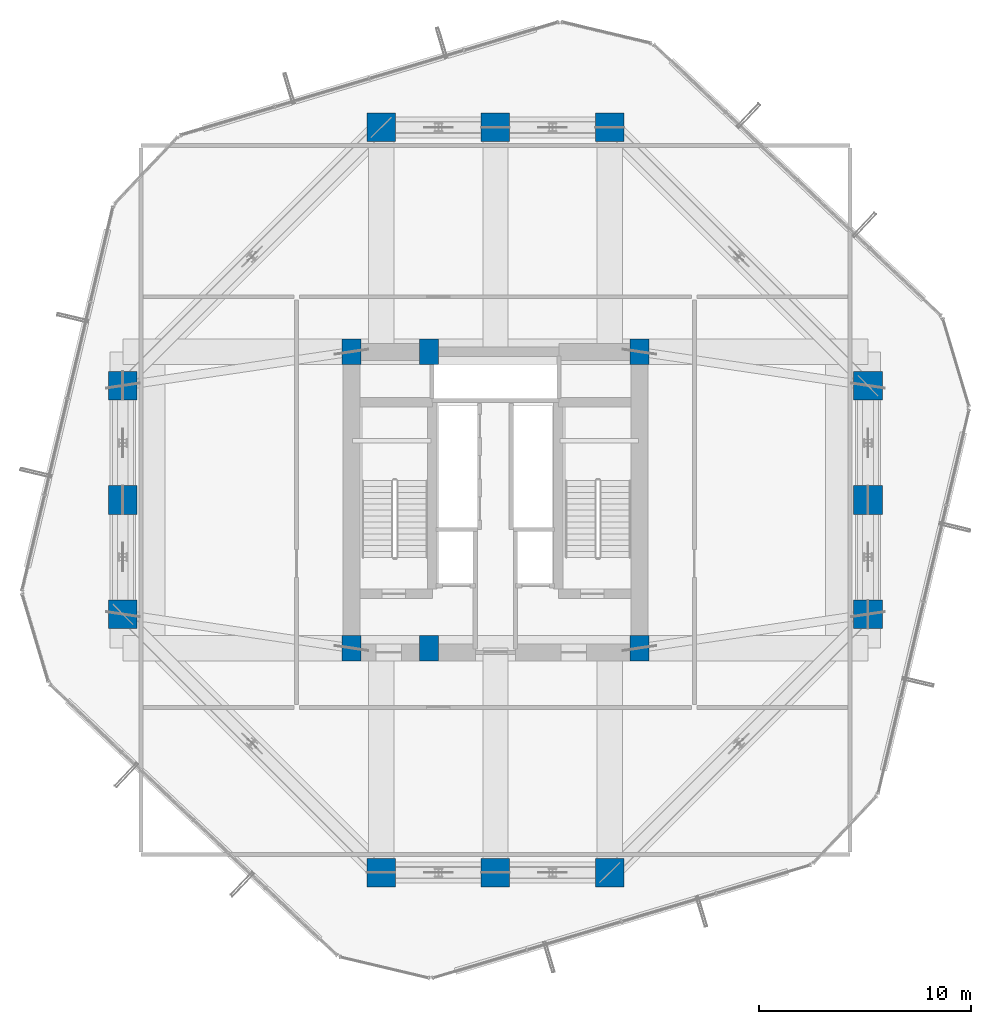
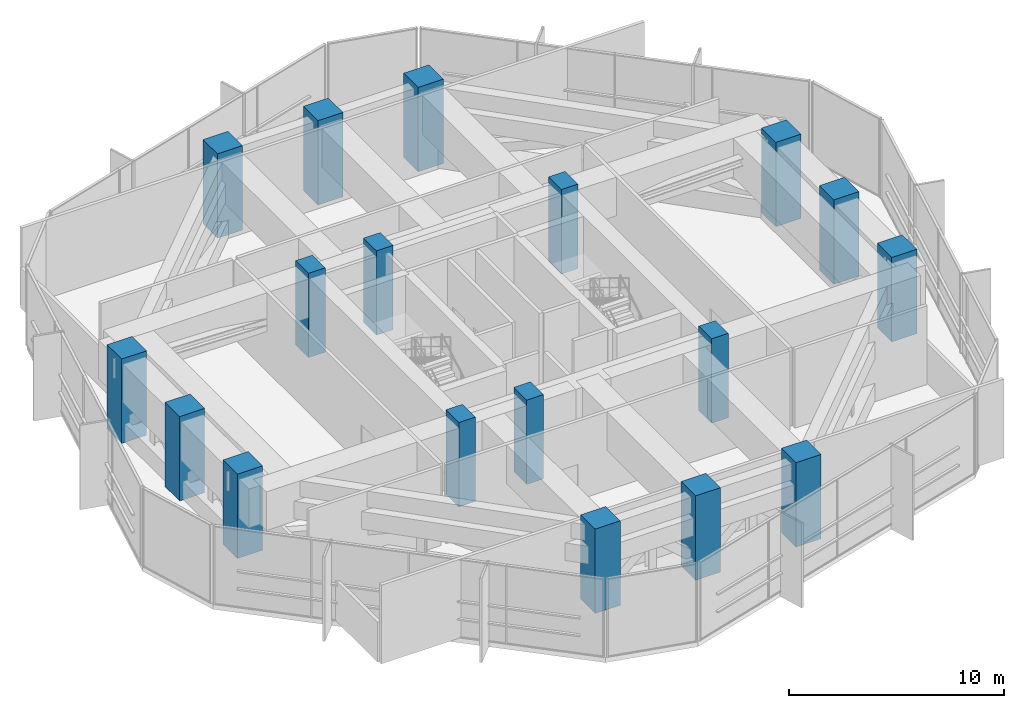
# One storey, part 1 of 41: 18 columns.
"""IFC4 building model written with IfcOpenShell, lengths in metres."""

from ifc_helpers import new_model, si_unit, direction, frame, origin, origin_2d, place, context, subcontext, project, spatial, rectangle, extrude, material, material_profile, profile_set, type_object, element, save


model = new_model("IFC4")

# Units and contexts
model_context = context("Model", 3, precision=1e-05, world=origin(), true_north=direction((0.0, 1.0)))
body_context = subcontext(model_context, "Body", "Model", "MODEL_VIEW")
ifc_project = project(units=[si_unit("LENGTHUNIT", "METRE"), si_unit("AREAUNIT", "SQUARE_METRE"), si_unit("VOLUMEUNIT", "CUBIC_METRE"), si_unit("PLANEANGLEUNIT", "RADIAN"), si_unit("MASSUNIT", "GRAM", prefix="KILO")], contexts=[model_context])

# Site, building, storey
site_placement = place(None, origin())
site = spatial("IfcSite", under=ifc_project, at=site_placement, CompositionType="ELEMENT")
building_placement = place(site_placement, origin())
building = spatial("IfcBuilding", under=site, at=building_placement, Name="Veraguas Prism Commons", CompositionType="ELEMENT")
storey_placement = place(building_placement, frame((0.0, 0.0, 80.35009765625)))
storey = spatial("IfcBuildingStorey", under=building, at=storey_placement, Name="L22", CompositionType="ELEMENT", Elevation=80.35009765625)

# Columns
ifc_material = material(Name="Concrete C60/75", Category="concrete")
ifc_material_profile_1 = material_profile(ifc_material, rectangle(XDim=1.35009765625, YDim=1.35009765625, at=origin_2d()), Name="RC1350X1350")
ifc_profile_set_1 = profile_set([ifc_material_profile_1], Name="Concrete C60/75")
column_type_1 = type_object("IfcColumnType", Name="Column Tube Z1 RC 1350x1350", PredefinedType="COLUMN", material=ifc_profile_set_1)
for number, where, z_axis, x_axis, name in (
    (1, (41.60009765625, 18.60009765625, 0.0), (0.0, 0.0, 1.0), (1.0, 0.0, 0.0), "Tower Perimeter Column L22-TB01"),
    (2, (41.60009765625, 24.0, 0.0), (0.0, 0.0, 1.0), (1.0, 0.0, 0.0), "Tower Perimeter Column L22-TB02"),
    (3, (41.60009765625, 29.39990234375, 0.0), (0.0, 0.0, 1.0), (1.0, 0.0, 0.0), "Tower Perimeter Column L22-TB03"),
    (4, (29.39990234375, 41.60009765625, 0.0), (0.0, 0.0, 1.0), (1.0, 0.0, 0.0), "Tower Perimeter Column L22-TB04"),
    (5, (24.0, 41.60009765625, 0.0), (0.0, 0.0, 1.0), (1.0, 0.0, 0.0), "Tower Perimeter Column L22-TB05"),
    (6, (18.60009765625, 41.60009765625, 0.0), (0.0, 0.0, 1.0), (1.0, 0.0, 0.0), "Tower Perimeter Column L22-TB06"),
    (7, (6.39990234375, 29.39990234375, 0.0), (0.0, 0.0, 1.0), (1.0, 0.0, 0.0), "Tower Perimeter Column L22-TB07"),
    (8, (6.39990234375, 24.0, 0.0), (0.0, 0.0, 1.0), (1.0, 0.0, 0.0), "Tower Perimeter Column L22-TB08"),
    (9, (6.39990234375, 18.60009765625, 0.0), (0.0, 0.0, 1.0), (1.0, 0.0, 0.0), "Tower Perimeter Column L22-TB09"),
    (10, (18.60009765625, 6.39990234375, 0.0), (0.0, 0.0, 1.0), (1.0, 0.0, 0.0), "Tower Perimeter Column L22-TB10"),
    (11, (24.0, 6.39990234375, 0.0), (0.0, 0.0, 1.0), (1.0, 0.0, 0.0), "Tower Perimeter Column L22-TB11"),
    (12, (29.39990234375, 6.39990234375, 0.0), (0.0, 0.0, 1.0), (1.0, 0.0, 0.0), "Tower Perimeter Column L22-TB12"),
):
    element("IfcColumn", number, at=place(storey_placement, frame(where, z_axis=z_axis, x_axis=x_axis)), inside=storey, type_object=column_type_1, Name=name, PredefinedType="COLUMN", context=body_context, shape_type="SweptSolid", body=[
        extrude(rectangle(XDim=1.35009765625, YDim=1.35009765625, at=origin_2d()), origin(), (0.0, 0.0, 1.0), 4.7998046875),
    ])
ifc_material_profile_2 = material_profile(ifc_material, rectangle(XDim=0.89990234375, YDim=1.199951171875, at=origin_2d()), Name="RC900X1200")
ifc_profile_set_2 = profile_set([ifc_material_profile_2], Name="Concrete C60/75")
column_type_2 = type_object("IfcColumnType", Name="Pilaster Core Lower RC 900x1200", PredefinedType="PILASTER", material=ifc_profile_set_2)
for number, where, z_axis, x_axis, name in (
    (13, (17.199951171875, 17.0, 0.0), (0.0, 0.0, 1.0), (1.0, 0.0, 0.0), "Core Pilaster Column L22-CR1"),
    (14, (20.85009765625, 17.0, 0.0), (0.0, 0.0, 1.0), (1.0, 0.0, 0.0), "Core Pilaster Column L22-CR2"),
    (15, (30.800048828125, 17.0, 0.0), (0.0, 0.0, 1.0), (1.0, 0.0, 0.0), "Core Pilaster Column L22-CR3"),
    (16, (17.199951171875, 31.0, 0.0), (0.0, 0.0, 1.0), (1.0, 0.0, 0.0), "Core Pilaster Column L22-CR4"),
    (17, (20.85009765625, 31.0, 0.0), (0.0, 0.0, 1.0), (1.0, 0.0, 0.0), "Core Pilaster Column L22-CR5"),
    (18, (30.800048828125, 31.0, 0.0), (0.0, 0.0, 1.0), (1.0, 0.0, 0.0), "Core Pilaster Column L22-CR6"),
):
    element("IfcColumn", number, at=place(storey_placement, frame(where, z_axis=z_axis, x_axis=x_axis)), inside=storey, type_object=column_type_2, Name=name, PredefinedType="PILASTER", context=body_context, shape_type="SweptSolid", body=[
        extrude(rectangle(XDim=0.89990234375, YDim=1.199951171875, at=origin_2d()), origin(), (0.0, 0.0, 1.0), 4.7998046875),
    ])

save(model, "model.ifc")
